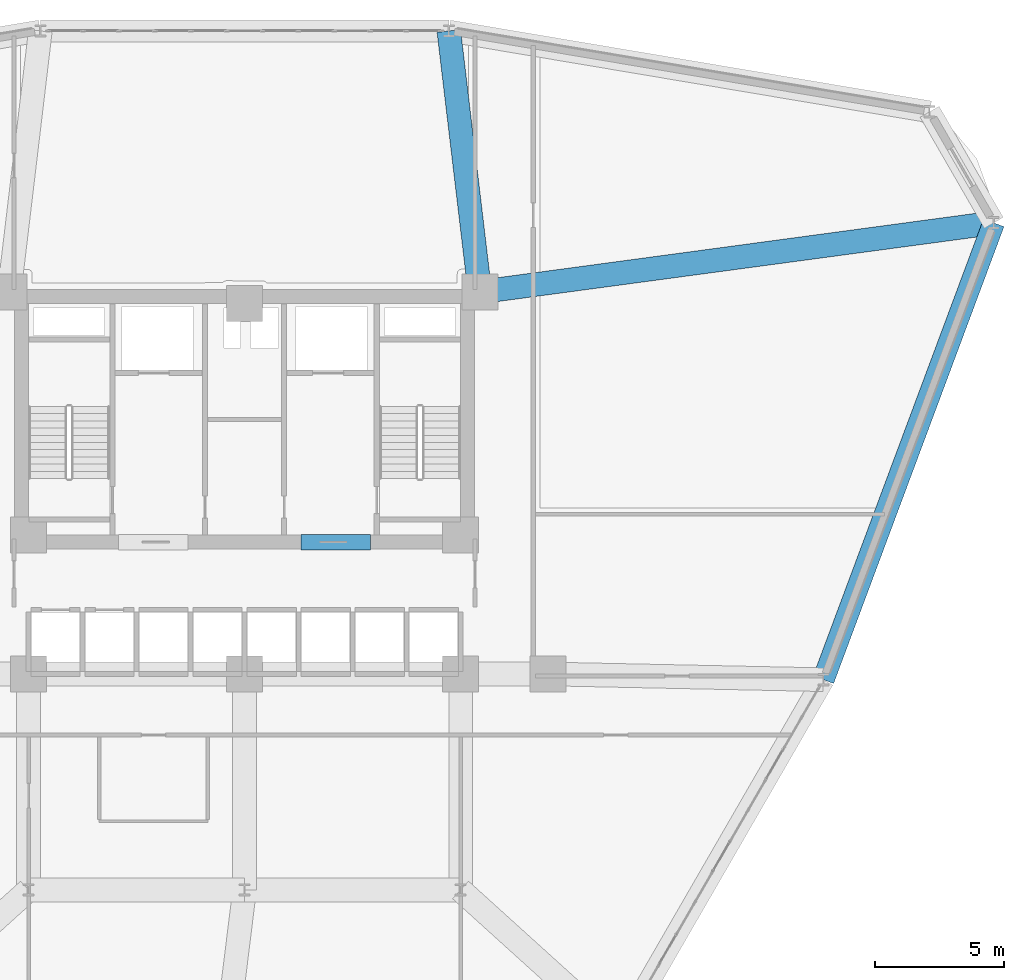
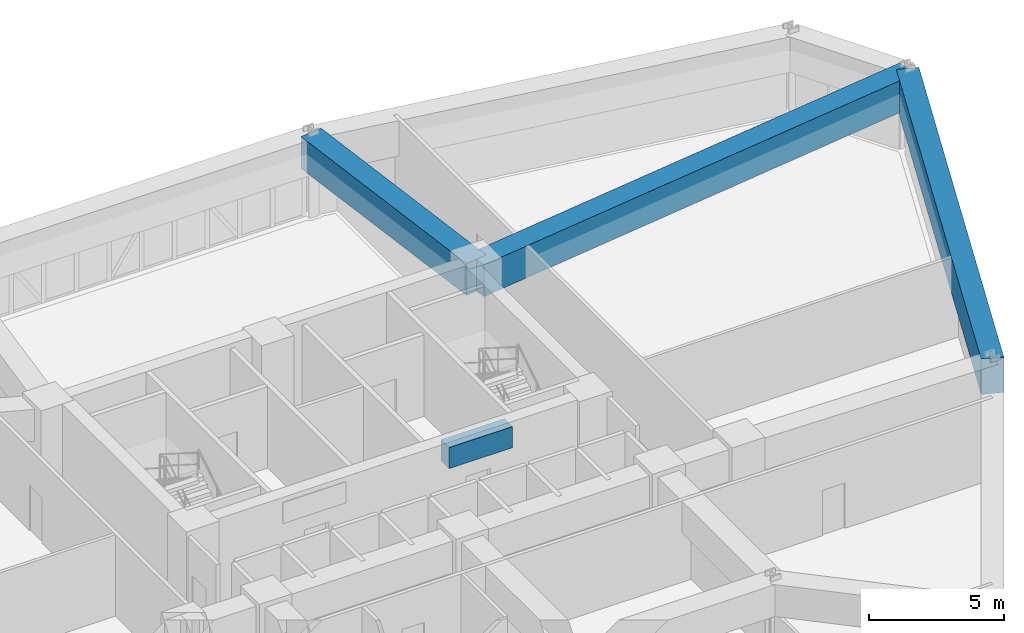
# One storey, part 12 of 20: 4 beams.
"""IFC4 building model written with IfcOpenShell, lengths in metres."""

from ifc_helpers import new_model, si_unit, derived_unit, direction, frame, origin, origin_2d, place, context, subcontext, project, spatial, rectangle, extrude, source, transform, mapped, material, material_profile, profile_set, type_object, element, save


model = new_model("IFC4")

# Units and contexts
model_context = context("Model", 3, precision=1e-05, world=origin(), true_north=direction((0.0, 1.0)))
body_context = subcontext(model_context, "Body", "Model", "MODEL_VIEW")
ifc_project = project(units=[si_unit("LENGTHUNIT", "METRE"), si_unit("AREAUNIT", "SQUARE_METRE"), si_unit("VOLUMEUNIT", "CUBIC_METRE"), si_unit("PLANEANGLEUNIT", "RADIAN"), si_unit("MASSUNIT", "GRAM", prefix="KILO"), derived_unit("THERMALTRANSMITTANCEUNIT", [(si_unit("POWERUNIT", "WATT"), 1), (si_unit("LENGTHUNIT", "METRE"), -2), (si_unit("THERMODYNAMICTEMPERATUREUNIT", "KELVIN"), -1)])], contexts=[model_context])

# Site, building, storey
site_placement = place(None, origin())
site = spatial("IfcSite", under=ifc_project, at=site_placement, CompositionType="ELEMENT")
building_placement = place(site_placement, origin())
building = spatial("IfcBuilding", under=site, at=building_placement, Name="Korsvarv Bourse and Concert Hall", CompositionType="ELEMENT")
storey_placement = place(building_placement, frame((0.0, 0.0, 39.60009765625)))
storey = spatial("IfcBuildingStorey", under=building, at=storey_placement, Name="L09", CompositionType="ELEMENT", Elevation=39.60009765625)

# Beams
ifc_material_1 = material(Name="Concrete C55/67", Category="concrete")
ifc_material_profile_1 = material_profile(ifc_material_1, rectangle(XDim=0.60009765625, YDim=0.949951171875, at=origin_2d()), Name="RC-BM 600x950")
ifc_profile_set_1 = profile_set([ifc_material_profile_1], Name="Concrete C55/67")
beam_type_1 = type_object("IfcBeamType", Name="BM-CPL", PredefinedType="LINTEL", material=ifc_profile_set_1)
shared_shape_1 = source(origin(), body_context, "Body", "SweptSolid", [
    extrude(rectangle(XDim=0.60009765625, YDim=0.949951171875, at=origin_2d()), origin(), (0.0, 0.0, 1.0), 2.699951171875),
])
beam_1_placement = place(storey_placement, frame((38.199951171875, 37.52490234375, 3.204833984375), z_axis=(1.0, 0.0, 0.0), x_axis=(0.0, 1.0, 0.0)))
element("IfcBeam", 1, at=beam_1_placement, inside=storey, type_object=beam_type_1, Name="L09 Core Coupling Beam East", PredefinedType="LINTEL", context=body_context, shape_type="MappedRepresentation", body=[
    mapped(shared_shape_1, transform((0.0, 0.0, 0.0), scale=1.0)),
])
ifc_material_profile_2 = material_profile(ifc_material_1, rectangle(XDim=0.85009765625, YDim=1.60009765625, at=origin_2d()), Name="RC-BM 850x1600")
ifc_profile_set_2 = profile_set([ifc_material_profile_2], Name="Concrete C55/67")
beam_type_2 = type_object("IfcBeamType", Name="BM-TR1B", PredefinedType="BEAM", material=ifc_profile_set_2)
shared_shape_2 = source(origin(), body_context, "Body", "SweptSolid", [
    extrude(rectangle(XDim=0.85009765625, YDim=1.60009765625, at=origin_2d()), origin(), (0.0, 0.0, 1.0), 18.95849609375),
])
beam_2_placement = place(storey_placement, frame((58.5048828125, 32.176513671875, 2.8798828125), z_axis=(0.349449133057, 0.936955336932, 0.0), x_axis=(-0.936955336932, 0.349449133057, 0.0)))
element("IfcBeam", 2, at=beam_2_placement, inside=storey, type_object=beam_type_2, Name="L09 beam B-TR2", PredefinedType="BEAM", context=body_context, shape_type="MappedRepresentation", body=[
    mapped(shared_shape_2, transform((0.0, 0.0, 0.0), scale=1.0)),
])
ifc_material_2 = material(Name="Concrete C50/60", Category="concrete")
ifc_material_profile_3 = material_profile(ifc_material_2, rectangle(XDim=0.919921875, YDim=1.43994140625, at=origin_2d()), Name="RC-BM 920x1440")
ifc_profile_set_3 = profile_set([ifc_material_profile_3], Name="Concrete C50/60")
beam_type_3 = type_object("IfcBeamType", Name="BM-TR-144", PredefinedType="BEAM", material=ifc_profile_set_3)
shared_shape_3 = source(origin(), body_context, "Body", "SweptSolid", [
    extrude(rectangle(XDim=0.919921875, YDim=1.43994140625, at=origin_2d()), origin(), (0.0, 0.0, 1.0), 20.16015625),
])
beam_3_placement = place(storey_placement, frame((65.1298828125, 49.939697265625, 2.9599609375), z_axis=(-0.99106010736, -0.13341612946, 0.0), x_axis=(0.13341612946, -0.99106010736, 0.0)))
element("IfcBeam", 3, at=beam_3_placement, inside=storey, type_object=beam_type_3, Name="L09 beam B-TR4", PredefinedType="BEAM", context=body_context, shape_type="MappedRepresentation", body=[
    mapped(shared_shape_3, transform((0.0, 0.0, 0.0), scale=1.0)),
])
shared_shape_4 = source(origin(), body_context, "Body", "SweptSolid", [
    extrude(rectangle(XDim=0.919921875, YDim=1.43994140625, at=origin_2d()), origin(), (0.0, 0.0, 1.0), 10.223388671875),
])
beam_4_placement = place(storey_placement, frame((43.941162109375, 57.401611328125, 2.9599609375), z_axis=(0.118233633582, -0.992985804476, 0.0), x_axis=(0.992985804476, 0.118233633582, 0.0)))
element("IfcBeam", 4, at=beam_4_placement, inside=storey, type_object=beam_type_3, Name="L09 beam B-TR4", PredefinedType="BEAM", context=body_context, shape_type="MappedRepresentation", body=[
    mapped(shared_shape_4, transform((0.0, 0.0, 0.0), scale=1.0)),
])

save(model, "model.ifc")
